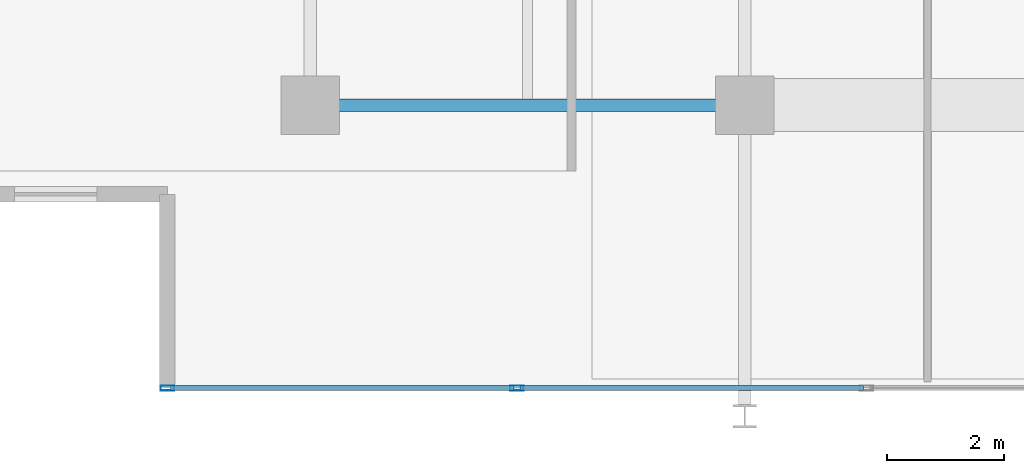
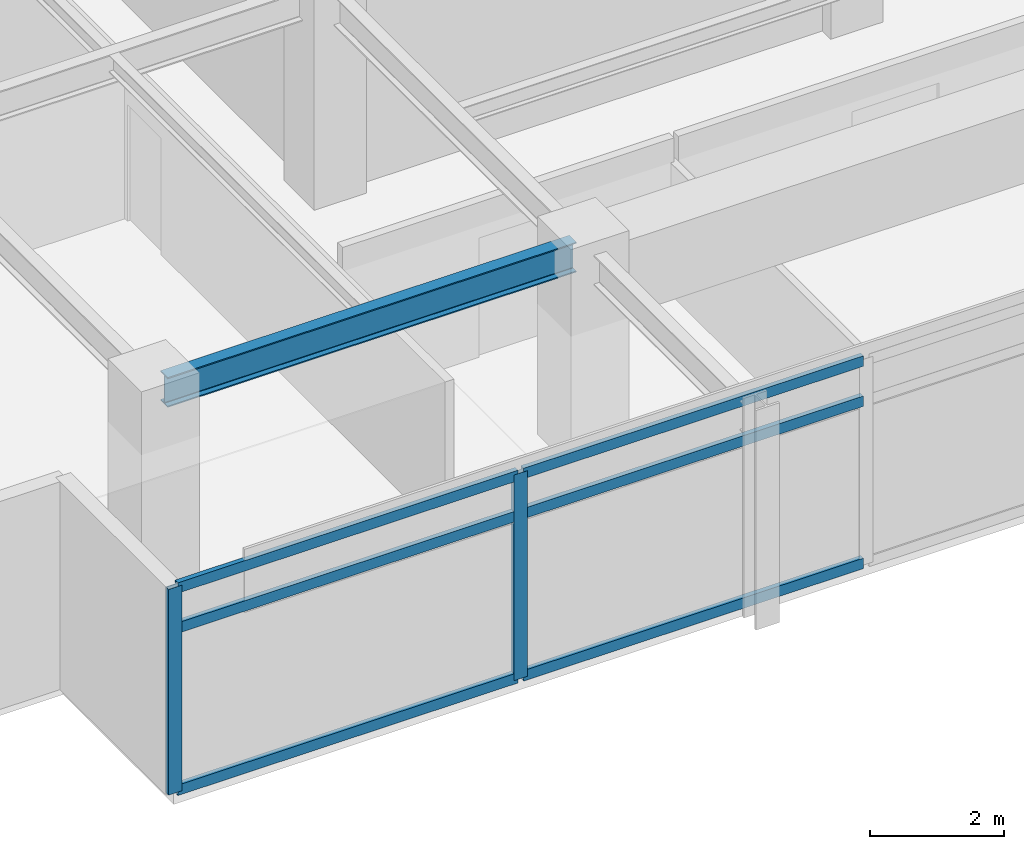
# One storey, part 2 of 20: 8 members, 1 beam, 1 element without a shape of its own.
"""IFC4 building model written with IfcOpenShell, lengths in metres."""

from ifc_helpers import new_model, si_unit, direction, frame, origin, origin_2d, place, context, subcontext, project, spatial, hollow_rectangle, i_section, extrude, material, material_profile, profile_set, type_object, element, aggregate, save


model = new_model("IFC4")

# Units and contexts
model_context = context("Model", 3, precision=1e-05, world=origin(), true_north=direction((0.0, 1.0)))
body_context = subcontext(model_context, "Body", "Model", "MODEL_VIEW")
ifc_project = project(units=[si_unit("LENGTHUNIT", "METRE"), si_unit("AREAUNIT", "SQUARE_METRE"), si_unit("VOLUMEUNIT", "CUBIC_METRE"), si_unit("PLANEANGLEUNIT", "RADIAN"), si_unit("MASSUNIT", "GRAM", prefix="KILO")], contexts=[model_context])

# Site, building, storey
site_placement = place(None, origin())
site = spatial("IfcSite", under=ifc_project, at=site_placement, CompositionType="ELEMENT")
building_placement = place(site_placement, origin())
building = spatial("IfcBuilding", under=site, at=building_placement, Name="Kovane Verandah Tower", CompositionType="ELEMENT")
storey_placement = place(building_placement, frame((0.0, 0.0, 330.800048828125)))
storey = spatial("IfcBuildingStorey", under=building, at=storey_placement, Name="L77", CompositionType="ELEMENT", Elevation=330.800048828125)

# Beam
ifc_material_1 = material(Name="Steel S355", Category="steel")
ifc_material_profile_1 = material_profile(ifc_material_1, i_section(OverallWidth=0.2119140625, OverallDepth=0.54443359375, WebThickness=0.0126953125, FlangeThickness=0.021240234375, FilletRadius=0.0126953125, at=origin_2d()), Name="UB533x210x122")
ifc_profile_set_1 = profile_set([ifc_material_profile_1], Name="Steel S355")
beam_type = type_object("IfcBeamType", Name="BM-UB533x122", PredefinedType="BEAM", material=ifc_profile_set_1)
beam_placement = place(storey_placement, frame((21.780029296875, 10.800048828125, 3.5126953125), z_axis=(1.0, 0.0, 0.0), x_axis=(0.0, 1.0, 0.0)))
element("IfcBeam", 1, at=beam_placement, inside=storey, type_object=beam_type, Name="L77 Primary Tower Girder G-RS1", PredefinedType="BEAM", context=body_context, shape_type="SweptSolid", body=[
    extrude(i_section(OverallWidth=0.2119140625, OverallDepth=0.54443359375, WebThickness=0.0126953125, FlangeThickness=0.021240234375, FilletRadius=0.0126953125, at=origin_2d()), origin(), (0.0, 0.0, 1.0), 7.0400390625),
])

# Curtain wall, members
ifc_material_2 = material(Name="Champagne Anodised Aluminium Frame with Low-E Clear Laminated Glass", Category="aluminium")
curtain_wall_type = type_object("IfcCurtainWallType", Name="CW-SYS-05-HIGH", PredefinedType="NOTDEFINED", material=ifc_material_2)
curtain_wall_placement = place(storey_placement, origin())
curtain_wall = element("IfcCurtainWall", 2, at=curtain_wall_placement, inside=storey, type_object=curtain_wall_type, Name="L77 S Unitised Curtain Wall", PredefinedType="NOTDEFINED")
ifc_material_3 = material(Name="Champagne Anodised Aluminium 6063-T6", Category="aluminium")
ifc_material_profile_2 = material_profile(ifc_material_3, hollow_rectangle(XDim=0.0849609375, YDim=0.22998046875, WallThickness=0.00390625, at=origin_2d()), Name="AL85x230x4")
ifc_profile_set_2 = profile_set([ifc_material_profile_2], Name="Champagne Anodised Aluminium 6063-T6")
member_type_1 = type_object("IfcMemberType", Name="CW-MUL-85x230", PredefinedType="MULLION", material=ifc_profile_set_2)
member_1_placement = place(storey_placement, frame((19.16357421875, 5.981689453125, 0.02001953125), z_axis=(0.0, 0.0, 1.0), x_axis=(0.0, -1.0, 0.0)))
member_1 = element("IfcMember", 3, at=member_1_placement, type_object=member_type_1, Name="L77 S Unitised Curtain Wall Mullion 1", PredefinedType="MULLION", context=body_context, shape_type="SweptSolid", body=[
    extrude(hollow_rectangle(XDim=0.0849609375, YDim=0.22998046875, WallThickness=0.00390625, at=origin_2d()), origin(), (0.0, 0.0, 1.0), 3.744873046875),
])
member_2_placement = place(storey_placement, frame((25.116943359375, 5.981689453125, 0.02001953125), z_axis=(0.0, 0.0, 1.0), x_axis=(0.0, -1.0, 0.0)))
member_2 = element("IfcMember", 4, at=member_2_placement, type_object=member_type_1, Name="L77 S Unitised Curtain Wall Mullion 2", PredefinedType="MULLION", context=body_context, shape_type="SweptSolid", body=[
    extrude(hollow_rectangle(XDim=0.0849609375, YDim=0.22998046875, WallThickness=0.00390625, at=origin_2d()), origin(), (0.0, 0.0, 1.0), 3.744873046875),
])
ifc_material_profile_3 = material_profile(ifc_material_3, hollow_rectangle(XDim=0.0849609375, YDim=0.18994140625, WallThickness=0.00390625, at=origin_2d()), Name="AL85x190x4")
ifc_profile_set_3 = profile_set([ifc_material_profile_3], Name="Champagne Anodised Aluminium 6063-T6")
member_type_2 = type_object("IfcMemberType", Name="CW-TRN-85x190", PredefinedType="USERDEFINED", material=ifc_profile_set_3)
member_3_placement = place(storey_placement, frame((19.213623046875, 5.981689453125, 0.050048828125), z_axis=(1.0, 0.0, 0.0), x_axis=(0.0, 1.0, 0.0)))
member_3 = element("IfcMember", 5, at=member_3_placement, type_object=member_type_2, Name="L77 S Unitised Curtain Wall Transom TB Bay 1", ObjectType="TRANSOM", PredefinedType="USERDEFINED", context=body_context, shape_type="SweptSolid", body=[
    extrude(hollow_rectangle(XDim=0.0849609375, YDim=0.18994140625, WallThickness=0.00390625, at=origin_2d()), origin(), (0.0, 0.0, 1.0), 5.853271484375),
])
member_4_placement = place(storey_placement, frame((19.213623046875, 5.981689453125, 3.0048828125), z_axis=(1.0, 0.0, 0.0), x_axis=(0.0, 1.0, 0.0)))
member_4 = element("IfcMember", 6, at=member_4_placement, type_object=member_type_2, Name="L77 S Unitised Curtain Wall Transom TM Bay 1", ObjectType="TRANSOM", PredefinedType="USERDEFINED", context=body_context, shape_type="SweptSolid", body=[
    extrude(hollow_rectangle(XDim=0.0849609375, YDim=0.18994140625, WallThickness=0.00390625, at=origin_2d()), origin(), (0.0, 0.0, 1.0), 5.853271484375),
])
member_5_placement = place(storey_placement, frame((19.213623046875, 5.981689453125, 3.73486328125), z_axis=(1.0, 0.0, 0.0), x_axis=(0.0, 1.0, 0.0)))
member_5 = element("IfcMember", 7, at=member_5_placement, type_object=member_type_2, Name="L77 S Unitised Curtain Wall Transom TT Bay 1", ObjectType="TRANSOM", PredefinedType="USERDEFINED", context=body_context, shape_type="SweptSolid", body=[
    extrude(hollow_rectangle(XDim=0.0849609375, YDim=0.18994140625, WallThickness=0.00390625, at=origin_2d()), origin(), (0.0, 0.0, 1.0), 5.853271484375),
])
member_6_placement = place(storey_placement, frame((25.1669921875, 5.981689453125, 0.050048828125), z_axis=(1.0, 0.0, 0.0), x_axis=(0.0, 1.0, 0.0)))
member_6 = element("IfcMember", 8, at=member_6_placement, type_object=member_type_2, Name="L77 S Unitised Curtain Wall Transom TB Bay 2", ObjectType="TRANSOM", PredefinedType="USERDEFINED", context=body_context, shape_type="SweptSolid", body=[
    extrude(hollow_rectangle(XDim=0.0849609375, YDim=0.18994140625, WallThickness=0.00390625, at=origin_2d()), origin(), (0.0, 0.0, 1.0), 5.85302734375),
])
member_7_placement = place(storey_placement, frame((25.1669921875, 5.981689453125, 3.0048828125), z_axis=(1.0, 0.0, 0.0), x_axis=(0.0, 1.0, 0.0)))
member_7 = element("IfcMember", 9, at=member_7_placement, type_object=member_type_2, Name="L77 S Unitised Curtain Wall Transom TM Bay 2", ObjectType="TRANSOM", PredefinedType="USERDEFINED", context=body_context, shape_type="SweptSolid", body=[
    extrude(hollow_rectangle(XDim=0.0849609375, YDim=0.18994140625, WallThickness=0.00390625, at=origin_2d()), origin(), (0.0, 0.0, 1.0), 5.85302734375),
])
member_8_placement = place(storey_placement, frame((25.1669921875, 5.981689453125, 3.73486328125), z_axis=(1.0, 0.0, 0.0), x_axis=(0.0, 1.0, 0.0)))
member_8 = element("IfcMember", 10, at=member_8_placement, type_object=member_type_2, Name="L77 S Unitised Curtain Wall Transom TT Bay 2", ObjectType="TRANSOM", PredefinedType="USERDEFINED", context=body_context, shape_type="SweptSolid", body=[
    extrude(hollow_rectangle(XDim=0.0849609375, YDim=0.18994140625, WallThickness=0.00390625, at=origin_2d()), origin(), (0.0, 0.0, 1.0), 5.85302734375),
])
aggregate(curtain_wall, [member_1, member_2, member_3, member_4, member_5, member_6, member_7, member_8])

save(model, "model.ifc")
